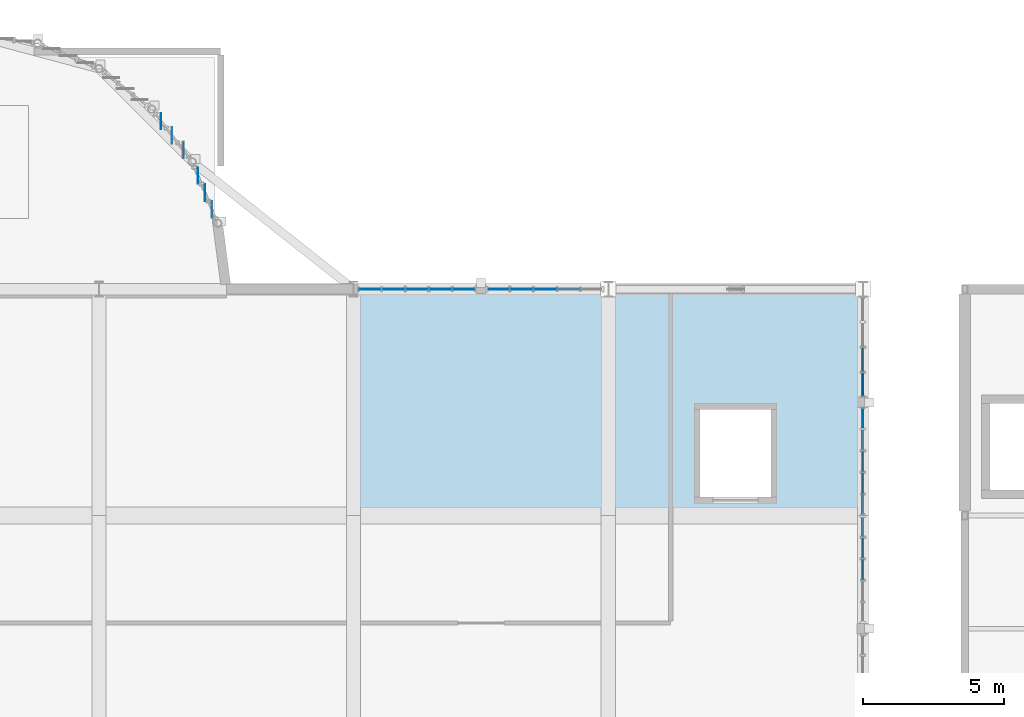
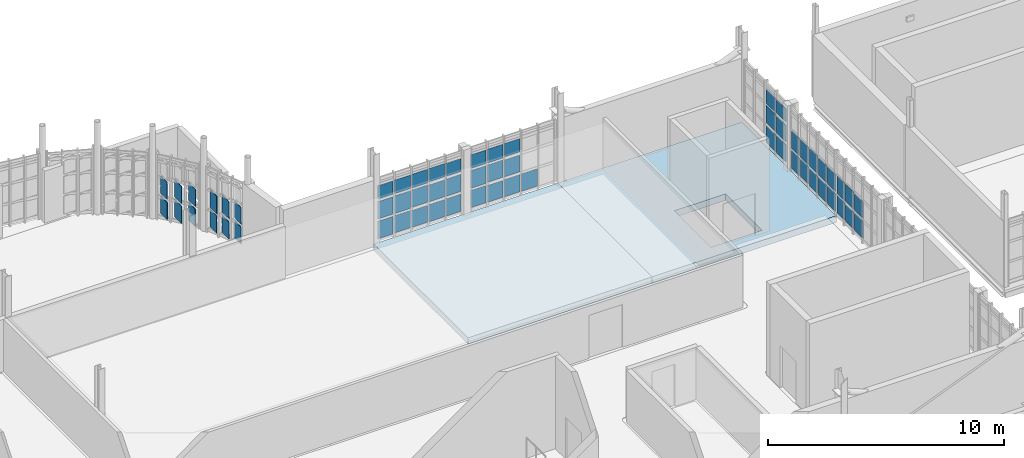
# One storey, part 92 of 128: 59 plates, 2 slabs, 7 elements without a shape of their own.
"""IFC4 building model written with IfcOpenShell, lengths in metres."""

from ifc_helpers import new_model, si_unit, direction, frame, origin, origin_2d, place, context, subcontext, project, spatial, polyline, rectangle, outline, extrude, material, layer, layer_set, type_object, element, aggregate, save


model = new_model("IFC4")

# Units and contexts
model_context = context("Model", 3, precision=1e-05, world=origin(), true_north=direction((0.0, 1.0)))
body_context = subcontext(model_context, "Body", "Model", "MODEL_VIEW")
ifc_project = project(units=[si_unit("LENGTHUNIT", "METRE"), si_unit("AREAUNIT", "SQUARE_METRE"), si_unit("VOLUMEUNIT", "CUBIC_METRE"), si_unit("PLANEANGLEUNIT", "RADIAN"), si_unit("MASSUNIT", "GRAM", prefix="KILO")], contexts=[model_context])

# Site, building, storey
site_placement = place(None, origin())
site = spatial("IfcSite", under=ifc_project, at=site_placement, CompositionType="ELEMENT")
building_placement = place(site_placement, origin())
building = spatial("IfcBuilding", under=site, at=building_placement, Name="Serraforn Aerial Cableway Station", CompositionType="ELEMENT")
storey_placement = place(building_placement, frame((0.0, 0.0, 9.0)))
storey = spatial("IfcBuildingStorey", under=building, at=storey_placement, Name="L02", CompositionType="ELEMENT", Elevation=9.0)

# Curtain wall, plates
ifc_material_1 = material(Name="Anodised bronze unitised curtain wall")
curtain_wall_type_1 = type_object("IfcCurtainWallType", Name="CW-SYS-25", PredefinedType="USERDEFINED", material=ifc_material_1)
curtain_wall_1_placement = place(storey_placement, origin())
curtain_wall_1 = element("IfcCurtainWall", 1, at=curtain_wall_1_placement, inside=storey, type_object=curtain_wall_type_1, Name="Unitised Curtain Wall CW-CV-L02-N6A", ObjectType="UNITISED CURTAIN WALL", PredefinedType="USERDEFINED")
ifc_material_2 = material(Name="Solar-control low-E double glazing", Category="glass")
ifc_layer_1 = layer(ifc_material_2, 0.02587890625)
ifc_layer_set_1 = layer_set([ifc_layer_1], Name="Solar-control low-E double glazing")
plate_type_1 = type_object("IfcPlateType", Name="CW-GLZ-1", PredefinedType="CURTAIN_PANEL", material=ifc_layer_set_1)
plate_1_placement = place(storey_placement, frame((79.3671875, 42.0, 1.23583984375), z_axis=(0.0, 0.0, 1.0), x_axis=(1.0, 0.0, 0.0)))
plate_1 = element("IfcPlate", 2, at=plate_1_placement, type_object=plate_type_1, Name="Curtain Wall Panel CW-CV-L02-N6A-P3-2", PredefinedType="CURTAIN_PANEL", context=body_context, shape_type="SweptSolid", body=[
    extrude(rectangle(XDim=0.77587890625, YDim=0.02587890625, at=origin_2d()), origin(), (0.0, 0.0, 1.0), 0.87255859375),
])
plate_2_placement = place(storey_placement, frame((78.53271484375, 42.0, 0.209716796875), z_axis=(0.0, 0.0, 1.0), x_axis=(1.0, 0.0, 0.0)))
plate_2 = element("IfcPlate", 3, at=plate_2_placement, type_object=plate_type_1, Name="Curtain Wall Panel CW-CV-L02-N6A-P4-1", PredefinedType="CURTAIN_PANEL", context=body_context, shape_type="SweptSolid", body=[
    extrude(rectangle(XDim=0.77099609375, YDim=0.02587890625, at=origin_2d()), origin(), (0.0, 0.0, 1.0), 0.87255859375),
])

curtain_wall_type_2 = type_object("IfcCurtainWallType", Name="CW-SYS-26", PredefinedType="USERDEFINED", material=ifc_material_1)
curtain_wall_2_placement = place(storey_placement, origin())
curtain_wall_2 = element("IfcCurtainWall", 4, at=curtain_wall_2_placement, inside=storey, type_object=curtain_wall_type_2, Name="Unitised Curtain Wall CW-CV-L02-N6B", ObjectType="UNITISED CURTAIN WALL", PredefinedType="USERDEFINED")
plate_3_placement = place(storey_placement, frame((76.490234375, 42.0, 2.26171875), z_axis=(0.0, 0.0, 1.0), x_axis=(1.0, 0.0, 0.0)))
plate_3 = element("IfcPlate", 5, at=plate_3_placement, type_object=plate_type_1, Name="Curtain Wall Panel CW-CV-L02-N6B-P1-3", PredefinedType="CURTAIN_PANEL", context=body_context, shape_type="SweptSolid", body=[
    extrude(rectangle(XDim=0.75341796875, YDim=0.02587890625, at=origin_2d()), origin(), (0.0, 0.0, 1.0), 0.667236328125),
])
plate_4_placement = place(storey_placement, frame((75.669677734375, 42.0, 1.23583984375), z_axis=(0.0, 0.0, 1.0), x_axis=(1.0, 0.0, 0.0)))
plate_4 = element("IfcPlate", 6, at=plate_4_placement, type_object=plate_type_1, Name="Curtain Wall Panel CW-CV-L02-N6B-P2-2", PredefinedType="CURTAIN_PANEL", context=body_context, shape_type="SweptSolid", body=[
    extrude(rectangle(XDim=0.77587890625, YDim=0.02587890625, at=origin_2d()), origin(), (0.0, 0.0, 1.0), 0.87255859375),
])
plate_5_placement = place(storey_placement, frame((74.835205078125, 42.0, 0.209716796875), z_axis=(0.0, 0.0, 1.0), x_axis=(1.0, 0.0, 0.0)))
plate_5 = element("IfcPlate", 7, at=plate_5_placement, type_object=plate_type_1, Name="Curtain Wall Panel CW-CV-L02-N6B-P3-1", PredefinedType="CURTAIN_PANEL", context=body_context, shape_type="SweptSolid", body=[
    extrude(rectangle(XDim=0.77099609375, YDim=0.02587890625, at=origin_2d()), origin(), (0.0, 0.0, 1.0), 0.87255859375),
])

# Curtain wall, plate
curtain_wall_type_3 = type_object("IfcCurtainWallType", Name="CW-SYS-3", PredefinedType="USERDEFINED", material=ifc_material_1)
curtain_wall_3_placement = place(storey_placement, origin())
curtain_wall_3 = element("IfcCurtainWall", 8, at=curtain_wall_3_placement, inside=storey, type_object=curtain_wall_type_3, Name="Unitised Curtain Wall CW-CV-L02-E3A", ObjectType="UNITISED CURTAIN WALL", PredefinedType="USERDEFINED")
plate_6_placement = place(storey_placement, frame((90.60009765625, 37.42919921875, 1.220703125), z_axis=(0.0, 0.0, 1.0), x_axis=(1.0, 0.0, 0.0)))
plate_6 = element("IfcPlate", 9, at=plate_6_placement, type_object=plate_type_1, Name="Curtain Wall Panel CW-CV-L02-E3A-P5-2", PredefinedType="CURTAIN_PANEL", context=body_context, shape_type="SweptSolid", body=[
    extrude(rectangle(XDim=0.02587890625, YDim=0.675537109375, at=origin_2d()), origin(), (0.0, 0.0, 1.0), 0.902587890625),
])

curtain_wall_type_4 = type_object("IfcCurtainWallType", Name="CW-SYS-13", PredefinedType="USERDEFINED", material=ifc_material_1)
curtain_wall_4_placement = place(storey_placement, origin())
curtain_wall_4 = element("IfcCurtainWall", 10, at=curtain_wall_4_placement, inside=storey, type_object=curtain_wall_type_4, Name="Unitised Curtain Wall CW-AP-L02-R10", ObjectType="UNITISED CURTAIN WALL", PredefinedType="USERDEFINED")
plate_7_placement = place(storey_placement, frame((65.79052734375, 47.938232421875, 1.243408203125), z_axis=(0.0, 0.0, 1.0), x_axis=(1.0, 0.0, 0.0)))
plate_7 = element("IfcPlate", 11, at=plate_7_placement, type_object=plate_type_1, Name="Curtain Wall Panel CW-AP-L02-R10-P3-2", PredefinedType="CURTAIN_PANEL", context=body_context, shape_type="SweptSolid", body=[
    extrude(rectangle(XDim=0.02587890625, YDim=0.558349609375, at=origin_2d()), origin(), (0.0, 0.0, 1.0), 0.892578125),
])

# Curtain wall, plates
curtain_wall_type_5 = type_object("IfcCurtainWallType", Name="CW-SYS-14", PredefinedType="USERDEFINED", material=ifc_material_1)
curtain_wall_5_placement = place(storey_placement, origin())
curtain_wall_5 = element("IfcCurtainWall", 12, at=curtain_wall_5_placement, inside=storey, type_object=curtain_wall_type_5, Name="Unitised Curtain Wall CW-AP-L02-R11", ObjectType="UNITISED CURTAIN WALL", PredefinedType="USERDEFINED")
plate_8_placement = place(storey_placement, frame((67.34423828125, 45.41357421875, 1.243408203125), z_axis=(0.0, 0.0, 1.0), x_axis=(1.0, 0.0, 0.0)))
plate_8 = element("IfcPlate", 13, at=plate_8_placement, type_object=plate_type_1, Name="Curtain Wall Panel CW-AP-L02-R11-P2-2", PredefinedType="CURTAIN_PANEL", context=body_context, shape_type="SweptSolid", body=[
    extrude(rectangle(XDim=0.02587890625, YDim=0.60205078125, at=origin_2d()), origin(), (0.0, 0.0, 1.0), 0.892578125),
])
plate_9_placement = place(storey_placement, frame((67.0966796875, 46.01123046875, 0.21728515625), z_axis=(0.0, 0.0, 1.0), x_axis=(1.0, 0.0, 0.0)))
plate_9 = element("IfcPlate", 14, at=plate_9_placement, type_object=plate_type_1, Name="Curtain Wall Panel CW-AP-L02-R11-P3-1", PredefinedType="CURTAIN_PANEL", context=body_context, shape_type="SweptSolid", body=[
    extrude(rectangle(XDim=0.02587890625, YDim=0.5595703125, at=origin_2d()), origin(), (0.0, 0.0, 1.0), 0.892578125),
])

# Plate
ifc_layer_2 = layer(ifc_material_2, 0.028076171875)
ifc_layer_set_2 = layer_set([ifc_layer_2], Name="Solar-control low-E double glazing")
plate_type_2 = type_object("IfcPlateType", Name="CW-GLZ-2", PredefinedType="CURTAIN_PANEL", material=ifc_layer_set_2)
plate_10_placement = place(storey_placement, frame((79.3671875, 42.0, 2.26953125), z_axis=(0.0, 0.0, 1.0), x_axis=(1.0, 0.0, 0.0)))
plate_10 = element("IfcPlate", 15, at=plate_10_placement, type_object=plate_type_2, Name="Curtain Wall Panel CW-CV-L02-N6A-P3-3", PredefinedType="CURTAIN_PANEL", context=body_context, shape_type="SweptSolid", body=[
    extrude(rectangle(XDim=0.77587890625, YDim=0.028076171875, at=origin_2d()), origin(), (0.0, 0.0, 1.0), 0.687255859375),
])

plate_11_placement = place(storey_placement, frame((78.53271484375, 42.0, 1.243408203125), z_axis=(0.0, 0.0, 1.0), x_axis=(1.0, 0.0, 0.0)))
plate_11 = element("IfcPlate", 16, at=plate_11_placement, type_object=plate_type_2, Name="Curtain Wall Panel CW-CV-L02-N6A-P4-2", PredefinedType="CURTAIN_PANEL", context=body_context, shape_type="SweptSolid", body=[
    extrude(rectangle(XDim=0.77099609375, YDim=0.028076171875, at=origin_2d()), origin(), (0.0, 0.0, 1.0), 0.892578125),
])

plate_12_placement = place(storey_placement, frame((77.71728515625, 42.0, 0.21728515625), z_axis=(0.0, 0.0, 1.0), x_axis=(1.0, 0.0, 0.0)))
plate_12 = element("IfcPlate", 17, at=plate_12_placement, type_object=plate_type_2, Name="Curtain Wall Panel CW-CV-L02-N6A-P5-1", PredefinedType="CURTAIN_PANEL", context=body_context, shape_type="SweptSolid", body=[
    extrude(rectangle(XDim=0.728515625, YDim=0.028076171875, at=origin_2d()), origin(), (0.0, 0.0, 1.0), 0.892578125),
])

plate_13_placement = place(storey_placement, frame((75.669677734375, 42.0, 2.26953125), z_axis=(0.0, 0.0, 1.0), x_axis=(1.0, 0.0, 0.0)))
plate_13 = element("IfcPlate", 18, at=plate_13_placement, type_object=plate_type_2, Name="Curtain Wall Panel CW-CV-L02-N6B-P2-3", PredefinedType="CURTAIN_PANEL", context=body_context, shape_type="SweptSolid", body=[
    extrude(rectangle(XDim=0.77587890625, YDim=0.028076171875, at=origin_2d()), origin(), (0.0, 0.0, 1.0), 0.687255859375),
])

plate_14_placement = place(storey_placement, frame((74.835205078125, 42.0, 1.243408203125), z_axis=(0.0, 0.0, 1.0), x_axis=(1.0, 0.0, 0.0)))
plate_14 = element("IfcPlate", 19, at=plate_14_placement, type_object=plate_type_2, Name="Curtain Wall Panel CW-CV-L02-N6B-P3-2", PredefinedType="CURTAIN_PANEL", context=body_context, shape_type="SweptSolid", body=[
    extrude(rectangle(XDim=0.77099609375, YDim=0.028076171875, at=origin_2d()), origin(), (0.0, 0.0, 1.0), 0.892578125),
])

plate_15_placement = place(storey_placement, frame((74.000732421875, 42.0, 0.21728515625), z_axis=(0.0, 0.0, 1.0), x_axis=(1.0, 0.0, 0.0)))
plate_15 = element("IfcPlate", 20, at=plate_15_placement, type_object=plate_type_2, Name="Curtain Wall Panel CW-CV-L02-N6B-P4-1", PredefinedType="CURTAIN_PANEL", context=body_context, shape_type="SweptSolid", body=[
    extrude(rectangle(XDim=0.765869140625, YDim=0.028076171875, at=origin_2d()), origin(), (0.0, 0.0, 1.0), 0.892578125),
])

plate_16_placement = place(storey_placement, frame((67.0966796875, 46.01123046875, 1.2158203125), z_axis=(0.0, 0.0, 1.0), x_axis=(1.0, 0.0, 0.0)))
plate_16 = element("IfcPlate", 21, at=plate_16_placement, type_object=plate_type_2, Name="Curtain Wall Panel CW-AP-L02-R11-P3-2", PredefinedType="CURTAIN_PANEL", context=body_context, shape_type="SweptSolid", body=[
    extrude(rectangle(XDim=0.028076171875, YDim=0.5595703125, at=origin_2d()), origin(), (0.0, 0.0, 1.0), 0.9150390625),
])

ifc_layer_3 = layer(ifc_material_2, 0.030029296875)
ifc_layer_set_3 = layer_set([ifc_layer_3], Name="Solar-control low-E double glazing")
plate_type_3 = type_object("IfcPlateType", Name="CW-GLZ-3", PredefinedType="CURTAIN_PANEL", material=ifc_layer_set_3)
plate_17_placement = place(storey_placement, frame((78.53271484375, 42.0, 2.24169921875), z_axis=(0.0, 0.0, 1.0), x_axis=(1.0, 0.0, 0.0)))
plate_17 = element("IfcPlate", 22, at=plate_17_placement, type_object=plate_type_3, Name="Curtain Wall Panel CW-CV-L02-N6A-P4-3", PredefinedType="CURTAIN_PANEL", context=body_context, shape_type="SweptSolid", body=[
    extrude(rectangle(XDim=0.77099609375, YDim=0.030029296875, at=origin_2d()), origin(), (0.0, 0.0, 1.0), 0.709716796875),
])

plate_18_placement = place(storey_placement, frame((77.71728515625, 42.0, 1.2158203125), z_axis=(0.0, 0.0, 1.0), x_axis=(1.0, 0.0, 0.0)))
plate_18 = element("IfcPlate", 23, at=plate_18_placement, type_object=plate_type_3, Name="Curtain Wall Panel CW-CV-L02-N6A-P5-2", PredefinedType="CURTAIN_PANEL", context=body_context, shape_type="SweptSolid", body=[
    extrude(rectangle(XDim=0.728515625, YDim=0.030029296875, at=origin_2d()), origin(), (0.0, 0.0, 1.0), 0.9150390625),
])

plate_19_placement = place(storey_placement, frame((74.835205078125, 42.0, 2.24169921875), z_axis=(0.0, 0.0, 1.0), x_axis=(1.0, 0.0, 0.0)))
plate_19 = element("IfcPlate", 24, at=plate_19_placement, type_object=plate_type_3, Name="Curtain Wall Panel CW-CV-L02-N6B-P3-3", PredefinedType="CURTAIN_PANEL", context=body_context, shape_type="SweptSolid", body=[
    extrude(rectangle(XDim=0.77099609375, YDim=0.030029296875, at=origin_2d()), origin(), (0.0, 0.0, 1.0), 0.709716796875),
])

plate_20_placement = place(storey_placement, frame((74.000732421875, 42.0, 1.2158203125), z_axis=(0.0, 0.0, 1.0), x_axis=(1.0, 0.0, 0.0)))
plate_20 = element("IfcPlate", 25, at=plate_20_placement, type_object=plate_type_3, Name="Curtain Wall Panel CW-CV-L02-N6B-P4-2", PredefinedType="CURTAIN_PANEL", context=body_context, shape_type="SweptSolid", body=[
    extrude(rectangle(XDim=0.765869140625, YDim=0.030029296875, at=origin_2d()), origin(), (0.0, 0.0, 1.0), 0.9150390625),
])

plate_21_placement = place(storey_placement, frame((73.174072265625, 42.0, 0.189697265625), z_axis=(0.0, 0.0, 1.0), x_axis=(1.0, 0.0, 0.0)))
plate_21 = element("IfcPlate", 26, at=plate_21_placement, type_object=plate_type_3, Name="Curtain Wall Panel CW-CV-L02-N6B-P5-1", PredefinedType="CURTAIN_PANEL", context=body_context, shape_type="SweptSolid", body=[
    extrude(rectangle(XDim=0.745849609375, YDim=0.030029296875, at=origin_2d()), origin(), (0.0, 0.0, 1.0), 0.9150390625),
])

ifc_layer_4 = layer(ifc_material_2, 0.031982421875)
ifc_layer_set_4 = layer_set([ifc_layer_4], Name="Solar-control low-E double glazing")
plate_type_4 = type_object("IfcPlateType", Name="CW-GLZ-4", PredefinedType="CURTAIN_PANEL", material=ifc_layer_set_4)
plate_22_placement = place(storey_placement, frame((77.71728515625, 42.0, 2.246826171875), z_axis=(0.0, 0.0, 1.0), x_axis=(1.0, 0.0, 0.0)))
plate_22 = element("IfcPlate", 27, at=plate_22_placement, type_object=plate_type_4, Name="Curtain Wall Panel CW-CV-L02-N6A-P5-3", PredefinedType="CURTAIN_PANEL", context=body_context, shape_type="SweptSolid", body=[
    extrude(rectangle(XDim=0.728515625, YDim=0.031982421875, at=origin_2d()), origin(), (0.0, 0.0, 1.0), 0.697265625),
])

plate_23_placement = place(storey_placement, frame((74.000732421875, 42.0, 2.246826171875), z_axis=(0.0, 0.0, 1.0), x_axis=(1.0, 0.0, 0.0)))
plate_23 = element("IfcPlate", 28, at=plate_23_placement, type_object=plate_type_4, Name="Curtain Wall Panel CW-CV-L02-N6B-P4-3", PredefinedType="CURTAIN_PANEL", context=body_context, shape_type="SweptSolid", body=[
    extrude(rectangle(XDim=0.765869140625, YDim=0.031982421875, at=origin_2d()), origin(), (0.0, 0.0, 1.0), 0.697265625),
])

plate_24_placement = place(storey_placement, frame((73.174072265625, 42.0, 1.220703125), z_axis=(0.0, 0.0, 1.0), x_axis=(1.0, 0.0, 0.0)))
plate_24 = element("IfcPlate", 29, at=plate_24_placement, type_object=plate_type_4, Name="Curtain Wall Panel CW-CV-L02-N6B-P5-2", PredefinedType="CURTAIN_PANEL", context=body_context, shape_type="SweptSolid", body=[
    extrude(rectangle(XDim=0.745849609375, YDim=0.031982421875, at=origin_2d()), origin(), (0.0, 0.0, 1.0), 0.902587890625),
])

plate_25_placement = place(storey_placement, frame((90.60009765625, 34.39453125, 0.19482421875), z_axis=(0.0, 0.0, 1.0), x_axis=(1.0, 0.0, 0.0)))
plate_25 = element("IfcPlate", 30, at=plate_25_placement, type_object=plate_type_4, Name="Curtain Wall Panel CW-CV-L02-E3A-P1-1", PredefinedType="CURTAIN_PANEL", context=body_context, shape_type="SweptSolid", body=[
    extrude(rectangle(XDim=0.031982421875, YDim=0.68310546875, at=origin_2d()), origin(), (0.0, 0.0, 1.0), 0.902587890625),
])

ifc_layer_5 = layer(ifc_material_2, 0.033935546875)
ifc_layer_set_5 = layer_set([ifc_layer_5], Name="Solar-control low-E double glazing")
plate_type_5 = type_object("IfcPlateType", Name="CW-GLZ-5", PredefinedType="CURTAIN_PANEL", material=ifc_layer_set_5)
plate_26_placement = place(storey_placement, frame((73.174072265625, 42.0, 2.25439453125), z_axis=(0.0, 0.0, 1.0), x_axis=(1.0, 0.0, 0.0)))
plate_26 = element("IfcPlate", 31, at=plate_26_placement, type_object=plate_type_5, Name="Curtain Wall Panel CW-CV-L02-N6B-P5-3", PredefinedType="CURTAIN_PANEL", context=body_context, shape_type="SweptSolid", body=[
    extrude(rectangle(XDim=0.745849609375, YDim=0.033935546875, at=origin_2d()), origin(), (0.0, 0.0, 1.0), 0.682373046875),
])

# Curtain wall, plate
curtain_wall_type_6 = type_object("IfcCurtainWallType", Name="CW-SYS-2", PredefinedType="USERDEFINED", material=ifc_material_1)
curtain_wall_6_placement = place(storey_placement, origin())
curtain_wall_6 = element("IfcCurtainWall", 32, at=curtain_wall_6_placement, inside=storey, type_object=curtain_wall_type_6, Name="Unitised Curtain Wall CW-CV-L02-E2B", ObjectType="UNITISED CURTAIN WALL", PredefinedType="USERDEFINED")
plate_27_placement = place(storey_placement, frame((90.60009765625, 32.088623046875, 0.2021484375), z_axis=(0.0, 0.0, 1.0), x_axis=(1.0, 0.0, 0.0)))
plate_27 = element("IfcPlate", 33, at=plate_27_placement, type_object=plate_type_5, Name="Curtain Wall Panel CW-CV-L02-E2B-P3-1", PredefinedType="CURTAIN_PANEL", context=body_context, shape_type="SweptSolid", body=[
    extrude(rectangle(XDim=0.033935546875, YDim=0.70556640625, at=origin_2d()), origin(), (0.0, 0.0, 1.0), 0.887451171875),
])

# Plate
plate_28_placement = place(storey_placement, frame((90.60009765625, 34.39453125, 1.228515625), z_axis=(0.0, 0.0, 1.0), x_axis=(1.0, 0.0, 0.0)))
plate_28 = element("IfcPlate", 34, at=plate_28_placement, type_object=plate_type_5, Name="Curtain Wall Panel CW-CV-L02-E3A-P1-2", PredefinedType="CURTAIN_PANEL", context=body_context, shape_type="SweptSolid", body=[
    extrude(rectangle(XDim=0.033935546875, YDim=0.68310546875, at=origin_2d()), origin(), (0.0, 0.0, 1.0), 0.887451171875),
])

plate_29_placement = place(storey_placement, frame((90.60009765625, 35.144775390625, 0.2021484375), z_axis=(0.0, 0.0, 1.0), x_axis=(1.0, 0.0, 0.0)))
plate_29 = element("IfcPlate", 35, at=plate_29_placement, type_object=plate_type_5, Name="Curtain Wall Panel CW-CV-L02-E3A-P2-1", PredefinedType="CURTAIN_PANEL", context=body_context, shape_type="SweptSolid", body=[
    extrude(rectangle(XDim=0.033935546875, YDim=0.70556640625, at=origin_2d()), origin(), (0.0, 0.0, 1.0), 0.887451171875),
])

# Curtain wall, plate
curtain_wall_type_7 = type_object("IfcCurtainWallType", Name="CW-SYS-4", PredefinedType="USERDEFINED", material=ifc_material_1)
curtain_wall_7_placement = place(storey_placement, origin())
curtain_wall_7 = element("IfcCurtainWall", 36, at=curtain_wall_7_placement, inside=storey, type_object=curtain_wall_type_7, Name="Unitised Curtain Wall CW-CV-L02-E3B", ObjectType="UNITISED CURTAIN WALL", PredefinedType="USERDEFINED")
plate_30_placement = place(storey_placement, frame((90.60009765625, 38.63720703125, 0.2021484375), z_axis=(0.0, 0.0, 1.0), x_axis=(1.0, 0.0, 0.0)))
plate_30 = element("IfcPlate", 37, at=plate_30_placement, type_object=plate_type_5, Name="Curtain Wall Panel CW-CV-L02-E3B-P1-1", PredefinedType="CURTAIN_PANEL", context=body_context, shape_type="SweptSolid", body=[
    extrude(rectangle(XDim=0.033935546875, YDim=0.798095703125, at=origin_2d()), origin(), (0.0, 0.0, 1.0), 0.887451171875),
])

# Plate
ifc_layer_6 = layer(ifc_material_2, 0.035888671875)
ifc_layer_set_6 = layer_set([ifc_layer_6], Name="Solar-control low-E double glazing")
plate_type_6 = type_object("IfcPlateType", Name="CW-GLZ-6", PredefinedType="CURTAIN_PANEL", material=ifc_layer_set_6)
plate_31_placement = place(storey_placement, frame((90.60009765625, 32.088623046875, 1.23583984375), z_axis=(0.0, 0.0, 1.0), x_axis=(1.0, 0.0, 0.0)))
plate_31 = element("IfcPlate", 38, at=plate_31_placement, type_object=plate_type_6, Name="Curtain Wall Panel CW-CV-L02-E2B-P3-2", PredefinedType="CURTAIN_PANEL", context=body_context, shape_type="SweptSolid", body=[
    extrude(rectangle(XDim=0.035888671875, YDim=0.70556640625, at=origin_2d()), origin(), (0.0, 0.0, 1.0), 0.87255859375),
])

plate_32_placement = place(storey_placement, frame((90.60009765625, 32.852783203125, 0.209716796875), z_axis=(0.0, 0.0, 1.0), x_axis=(1.0, 0.0, 0.0)))
plate_32 = element("IfcPlate", 39, at=plate_32_placement, type_object=plate_type_6, Name="Curtain Wall Panel CW-CV-L02-E2B-P4-1", PredefinedType="CURTAIN_PANEL", context=body_context, shape_type="SweptSolid", body=[
    extrude(rectangle(XDim=0.035888671875, YDim=0.700439453125, at=origin_2d()), origin(), (0.0, 0.0, 1.0), 0.87255859375),
])

plate_33_placement = place(storey_placement, frame((90.60009765625, 35.144775390625, 1.23583984375), z_axis=(0.0, 0.0, 1.0), x_axis=(1.0, 0.0, 0.0)))
plate_33 = element("IfcPlate", 40, at=plate_33_placement, type_object=plate_type_6, Name="Curtain Wall Panel CW-CV-L02-E3A-P2-2", PredefinedType="CURTAIN_PANEL", context=body_context, shape_type="SweptSolid", body=[
    extrude(rectangle(XDim=0.035888671875, YDim=0.70556640625, at=origin_2d()), origin(), (0.0, 0.0, 1.0), 0.87255859375),
])

plate_34_placement = place(storey_placement, frame((90.60009765625, 35.90869140625, 0.209716796875), z_axis=(0.0, 0.0, 1.0), x_axis=(1.0, 0.0, 0.0)))
plate_34 = element("IfcPlate", 41, at=plate_34_placement, type_object=plate_type_6, Name="Curtain Wall Panel CW-CV-L02-E3A-P3-1", PredefinedType="CURTAIN_PANEL", context=body_context, shape_type="SweptSolid", body=[
    extrude(rectangle(XDim=0.035888671875, YDim=0.700439453125, at=origin_2d()), origin(), (0.0, 0.0, 1.0), 0.87255859375),
])

plate_35_placement = place(storey_placement, frame((90.60009765625, 38.63720703125, 1.23583984375), z_axis=(0.0, 0.0, 1.0), x_axis=(1.0, 0.0, 0.0)))
plate_35 = element("IfcPlate", 42, at=plate_35_placement, type_object=plate_type_6, Name="Curtain Wall Panel CW-CV-L02-E3B-P1-2", PredefinedType="CURTAIN_PANEL", context=body_context, shape_type="SweptSolid", body=[
    extrude(rectangle(XDim=0.035888671875, YDim=0.798095703125, at=origin_2d()), origin(), (0.0, 0.0, 1.0), 0.87255859375),
])

plate_36_placement = place(storey_placement, frame((90.60009765625, 39.5087890625, 0.209716796875), z_axis=(0.0, 0.0, 1.0), x_axis=(1.0, 0.0, 0.0)))
plate_36 = element("IfcPlate", 43, at=plate_36_placement, type_object=plate_type_6, Name="Curtain Wall Panel CW-CV-L02-E3B-P2-1", PredefinedType="CURTAIN_PANEL", context=body_context, shape_type="SweptSolid", body=[
    extrude(rectangle(XDim=0.035888671875, YDim=0.8232421875, at=origin_2d()), origin(), (0.0, 0.0, 1.0), 0.87255859375),
])

plate_37_placement = place(storey_placement, frame((66.5712890625, 46.9208984375, 0.19482421875), z_axis=(0.0, 0.0, 1.0), x_axis=(1.0, 0.0, 0.0)))
plate_37 = element("IfcPlate", 44, at=plate_37_placement, type_object=plate_type_6, Name="Curtain Wall Panel CW-AP-L02-R10-P1-1", PredefinedType="CURTAIN_PANEL", context=body_context, shape_type="SweptSolid", body=[
    extrude(rectangle(XDim=0.035888671875, YDim=0.575927734375, at=origin_2d()), origin(), (0.0, 0.0, 1.0), 0.902587890625),
])

ifc_layer_7 = layer(ifc_material_2, 0.029052734375)
ifc_layer_set_7 = layer_set([ifc_layer_7], Name="Solar-control low-E double glazing")
plate_type_7 = type_object("IfcPlateType", Name="CW-GLZ-7", PredefinedType="CURTAIN_PANEL", material=ifc_layer_set_7)
plate_38_placement = place(storey_placement, frame((80.20166015625, 42.0, 0.19482421875), z_axis=(0.0, 0.0, 1.0), x_axis=(1.0, 0.0, 0.0)))
plate_38 = element("IfcPlate", 45, at=plate_38_placement, type_object=plate_type_7, Name="Curtain Wall Panel CW-CV-L02-N6A-P2-1", PredefinedType="CURTAIN_PANEL", context=body_context, shape_type="SweptSolid", body=[
    extrude(rectangle(XDim=0.781005859375, YDim=0.029052734375, at=origin_2d()), origin(), (0.0, 0.0, 1.0), 0.902587890625),
])

plate_39_placement = place(storey_placement, frame((76.490234375, 42.0, 0.19482421875), z_axis=(0.0, 0.0, 1.0), x_axis=(1.0, 0.0, 0.0)))
plate_39 = element("IfcPlate", 46, at=plate_39_placement, type_object=plate_type_7, Name="Curtain Wall Panel CW-CV-L02-N6B-P1-1", PredefinedType="CURTAIN_PANEL", context=body_context, shape_type="SweptSolid", body=[
    extrude(rectangle(XDim=0.75341796875, YDim=0.029052734375, at=origin_2d()), origin(), (0.0, 0.0, 1.0), 0.902587890625),
])

plate_40_placement = place(storey_placement, frame((90.60009765625, 32.852783203125, 1.243408203125), z_axis=(0.0, 0.0, 1.0), x_axis=(1.0, 0.0, 0.0)))
plate_40 = element("IfcPlate", 47, at=plate_40_placement, type_object=plate_type_7, Name="Curtain Wall Panel CW-CV-L02-E2B-P4-2", PredefinedType="CURTAIN_PANEL", context=body_context, shape_type="SweptSolid", body=[
    extrude(rectangle(XDim=0.029052734375, YDim=0.700439453125, at=origin_2d()), origin(), (0.0, 0.0, 1.0), 0.892578125),
])

plate_41_placement = place(storey_placement, frame((90.60009765625, 33.597900390625, 0.21728515625), z_axis=(0.0, 0.0, 1.0), x_axis=(1.0, 0.0, 0.0)))
plate_41 = element("IfcPlate", 48, at=plate_41_placement, type_object=plate_type_7, Name="Curtain Wall Panel CW-CV-L02-E2B-P5-1", PredefinedType="CURTAIN_PANEL", context=body_context, shape_type="SweptSolid", body=[
    extrude(rectangle(XDim=0.029052734375, YDim=0.657958984375, at=origin_2d()), origin(), (0.0, 0.0, 1.0), 0.892578125),
])

plate_42_placement = place(storey_placement, frame((90.60009765625, 35.90869140625, 1.243408203125), z_axis=(0.0, 0.0, 1.0), x_axis=(1.0, 0.0, 0.0)))
plate_42 = element("IfcPlate", 49, at=plate_42_placement, type_object=plate_type_7, Name="Curtain Wall Panel CW-CV-L02-E3A-P3-2", PredefinedType="CURTAIN_PANEL", context=body_context, shape_type="SweptSolid", body=[
    extrude(rectangle(XDim=0.029052734375, YDim=0.700439453125, at=origin_2d()), origin(), (0.0, 0.0, 1.0), 0.892578125),
])

plate_43_placement = place(storey_placement, frame((90.60009765625, 36.6728515625, 0.21728515625), z_axis=(0.0, 0.0, 1.0), x_axis=(1.0, 0.0, 0.0)))
plate_43 = element("IfcPlate", 50, at=plate_43_placement, type_object=plate_type_7, Name="Curtain Wall Panel CW-CV-L02-E3A-P4-1", PredefinedType="CURTAIN_PANEL", context=body_context, shape_type="SweptSolid", body=[
    extrude(rectangle(XDim=0.029052734375, YDim=0.695556640625, at=origin_2d()), origin(), (0.0, 0.0, 1.0), 0.892578125),
])

plate_44_placement = place(storey_placement, frame((90.60009765625, 38.63720703125, 2.26953125), z_axis=(0.0, 0.0, 1.0), x_axis=(1.0, 0.0, 0.0)))
plate_44 = element("IfcPlate", 51, at=plate_44_placement, type_object=plate_type_7, Name="Curtain Wall Panel CW-CV-L02-E3B-P1-3", PredefinedType="CURTAIN_PANEL", context=body_context, shape_type="SweptSolid", body=[
    extrude(rectangle(XDim=0.029052734375, YDim=0.798095703125, at=origin_2d()), origin(), (0.0, 0.0, 1.0), 0.687255859375),
])

plate_45_placement = place(storey_placement, frame((90.60009765625, 39.5087890625, 1.243408203125), z_axis=(0.0, 0.0, 1.0), x_axis=(1.0, 0.0, 0.0)))
plate_45 = element("IfcPlate", 52, at=plate_45_placement, type_object=plate_type_7, Name="Curtain Wall Panel CW-CV-L02-E3B-P2-2", PredefinedType="CURTAIN_PANEL", context=body_context, shape_type="SweptSolid", body=[
    extrude(rectangle(XDim=0.029052734375, YDim=0.8232421875, at=origin_2d()), origin(), (0.0, 0.0, 1.0), 0.892578125),
])

plate_46_placement = place(storey_placement, frame((66.5712890625, 46.9208984375, 1.228515625), z_axis=(0.0, 0.0, 1.0), x_axis=(1.0, 0.0, 0.0)))
plate_46 = element("IfcPlate", 53, at=plate_46_placement, type_object=plate_type_7, Name="Curtain Wall Panel CW-AP-L02-R10-P1-2", PredefinedType="CURTAIN_PANEL", context=body_context, shape_type="SweptSolid", body=[
    extrude(rectangle(XDim=0.029052734375, YDim=0.575927734375, at=origin_2d()), origin(), (0.0, 0.0, 1.0), 0.887451171875),
])

plate_47_placement = place(storey_placement, frame((66.179931640625, 47.430908203125, 0.2021484375), z_axis=(0.0, 0.0, 1.0), x_axis=(1.0, 0.0, 0.0)))
plate_47 = element("IfcPlate", 54, at=plate_47_placement, type_object=plate_type_7, Name="Curtain Wall Panel CW-AP-L02-R10-P2-1", PredefinedType="CURTAIN_PANEL", context=body_context, shape_type="SweptSolid", body=[
    extrude(rectangle(XDim=0.029052734375, YDim=0.598388671875, at=origin_2d()), origin(), (0.0, 0.0, 1.0), 0.887451171875),
])

plate_48_placement = place(storey_placement, frame((67.59326171875, 44.8125, 0.2021484375), z_axis=(0.0, 0.0, 1.0), x_axis=(1.0, 0.0, 0.0)))
plate_48 = element("IfcPlate", 55, at=plate_48_placement, type_object=plate_type_7, Name="Curtain Wall Panel CW-AP-L02-R11-P1-1", PredefinedType="CURTAIN_PANEL", context=body_context, shape_type="SweptSolid", body=[
    extrude(rectangle(XDim=0.029052734375, YDim=0.5771484375, at=origin_2d()), origin(), (0.0, 0.0, 1.0), 0.887451171875),
])

ifc_layer_8 = layer(ifc_material_2, 0.031005859375)
ifc_layer_set_8 = layer_set([ifc_layer_8], Name="Solar-control low-E double glazing")
plate_type_8 = type_object("IfcPlateType", Name="CW-GLZ-8", PredefinedType="CURTAIN_PANEL", material=ifc_layer_set_8)
plate_49_placement = place(storey_placement, frame((79.3671875, 42.0, 0.2021484375), z_axis=(0.0, 0.0, 1.0), x_axis=(1.0, 0.0, 0.0)))
plate_49 = element("IfcPlate", 56, at=plate_49_placement, type_object=plate_type_8, Name="Curtain Wall Panel CW-CV-L02-N6A-P3-1", PredefinedType="CURTAIN_PANEL", context=body_context, shape_type="SweptSolid", body=[
    extrude(rectangle(XDim=0.77587890625, YDim=0.031005859375, at=origin_2d()), origin(), (0.0, 0.0, 1.0), 0.887451171875),
])

aggregate(curtain_wall_1, [plate_38, plate_49, plate_1, plate_10, plate_2, plate_11, plate_17, plate_12, plate_18, plate_22])

plate_50_placement = place(storey_placement, frame((76.490234375, 42.0, 1.228515625), z_axis=(0.0, 0.0, 1.0), x_axis=(1.0, 0.0, 0.0)))
plate_50 = element("IfcPlate", 57, at=plate_50_placement, type_object=plate_type_8, Name="Curtain Wall Panel CW-CV-L02-N6B-P1-2", PredefinedType="CURTAIN_PANEL", context=body_context, shape_type="SweptSolid", body=[
    extrude(rectangle(XDim=0.75341796875, YDim=0.031005859375, at=origin_2d()), origin(), (0.0, 0.0, 1.0), 0.887451171875),
])

plate_51_placement = place(storey_placement, frame((75.669677734375, 42.0, 0.2021484375), z_axis=(0.0, 0.0, 1.0), x_axis=(1.0, 0.0, 0.0)))
plate_51 = element("IfcPlate", 58, at=plate_51_placement, type_object=plate_type_8, Name="Curtain Wall Panel CW-CV-L02-N6B-P2-1", PredefinedType="CURTAIN_PANEL", context=body_context, shape_type="SweptSolid", body=[
    extrude(rectangle(XDim=0.77587890625, YDim=0.031005859375, at=origin_2d()), origin(), (0.0, 0.0, 1.0), 0.887451171875),
])

aggregate(curtain_wall_2, [plate_39, plate_50, plate_3, plate_51, plate_4, plate_13, plate_5, plate_14, plate_19, plate_15, plate_20, plate_23, plate_21, plate_24, plate_26])

plate_52_placement = place(storey_placement, frame((90.60009765625, 33.597900390625, 1.2158203125), z_axis=(0.0, 0.0, 1.0), x_axis=(1.0, 0.0, 0.0)))
plate_52 = element("IfcPlate", 59, at=plate_52_placement, type_object=plate_type_8, Name="Curtain Wall Panel CW-CV-L02-E2B-P5-2", PredefinedType="CURTAIN_PANEL", context=body_context, shape_type="SweptSolid", body=[
    extrude(rectangle(XDim=0.031005859375, YDim=0.657958984375, at=origin_2d()), origin(), (0.0, 0.0, 1.0), 0.9150390625),
])

aggregate(curtain_wall_6, [plate_27, plate_31, plate_32, plate_40, plate_41, plate_52])

plate_53_placement = place(storey_placement, frame((90.60009765625, 36.6728515625, 1.2158203125), z_axis=(0.0, 0.0, 1.0), x_axis=(1.0, 0.0, 0.0)))
plate_53 = element("IfcPlate", 60, at=plate_53_placement, type_object=plate_type_8, Name="Curtain Wall Panel CW-CV-L02-E3A-P4-2", PredefinedType="CURTAIN_PANEL", context=body_context, shape_type="SweptSolid", body=[
    extrude(rectangle(XDim=0.031005859375, YDim=0.695556640625, at=origin_2d()), origin(), (0.0, 0.0, 1.0), 0.9150390625),
])

plate_54_placement = place(storey_placement, frame((90.60009765625, 37.42919921875, 0.189697265625), z_axis=(0.0, 0.0, 1.0), x_axis=(1.0, 0.0, 0.0)))
plate_54 = element("IfcPlate", 61, at=plate_54_placement, type_object=plate_type_8, Name="Curtain Wall Panel CW-CV-L02-E3A-P5-1", PredefinedType="CURTAIN_PANEL", context=body_context, shape_type="SweptSolid", body=[
    extrude(rectangle(XDim=0.031005859375, YDim=0.675537109375, at=origin_2d()), origin(), (0.0, 0.0, 1.0), 0.9150390625),
])

aggregate(curtain_wall_3, [plate_25, plate_28, plate_29, plate_33, plate_34, plate_42, plate_43, plate_53, plate_54, plate_6])

plate_55_placement = place(storey_placement, frame((90.60009765625, 39.5087890625, 2.24169921875), z_axis=(0.0, 0.0, 1.0), x_axis=(1.0, 0.0, 0.0)))
plate_55 = element("IfcPlate", 62, at=plate_55_placement, type_object=plate_type_8, Name="Curtain Wall Panel CW-CV-L02-E3B-P2-3", PredefinedType="CURTAIN_PANEL", context=body_context, shape_type="SweptSolid", body=[
    extrude(rectangle(XDim=0.031005859375, YDim=0.8232421875, at=origin_2d()), origin(), (0.0, 0.0, 1.0), 0.709716796875),
])

aggregate(curtain_wall_7, [plate_30, plate_35, plate_44, plate_36, plate_45, plate_55])

plate_56_placement = place(storey_placement, frame((66.179931640625, 47.430908203125, 1.23583984375), z_axis=(0.0, 0.0, 1.0), x_axis=(1.0, 0.0, 0.0)))
plate_56 = element("IfcPlate", 63, at=plate_56_placement, type_object=plate_type_8, Name="Curtain Wall Panel CW-AP-L02-R10-P2-2", PredefinedType="CURTAIN_PANEL", context=body_context, shape_type="SweptSolid", body=[
    extrude(rectangle(XDim=0.031005859375, YDim=0.598388671875, at=origin_2d()), origin(), (0.0, 0.0, 1.0), 0.87255859375),
])

plate_57_placement = place(storey_placement, frame((65.79052734375, 47.938232421875, 0.209716796875), z_axis=(0.0, 0.0, 1.0), x_axis=(1.0, 0.0, 0.0)))
plate_57 = element("IfcPlate", 64, at=plate_57_placement, type_object=plate_type_8, Name="Curtain Wall Panel CW-AP-L02-R10-P3-1", PredefinedType="CURTAIN_PANEL", context=body_context, shape_type="SweptSolid", body=[
    extrude(rectangle(XDim=0.031005859375, YDim=0.558349609375, at=origin_2d()), origin(), (0.0, 0.0, 1.0), 0.87255859375),
])

aggregate(curtain_wall_4, [plate_37, plate_46, plate_47, plate_56, plate_57, plate_7])

plate_58_placement = place(storey_placement, frame((67.59326171875, 44.8125, 1.23583984375), z_axis=(0.0, 0.0, 1.0), x_axis=(1.0, 0.0, 0.0)))
plate_58 = element("IfcPlate", 65, at=plate_58_placement, type_object=plate_type_8, Name="Curtain Wall Panel CW-AP-L02-R11-P1-2", PredefinedType="CURTAIN_PANEL", context=body_context, shape_type="SweptSolid", body=[
    extrude(rectangle(XDim=0.031005859375, YDim=0.5771484375, at=origin_2d()), origin(), (0.0, 0.0, 1.0), 0.87255859375),
])

plate_59_placement = place(storey_placement, frame((67.34423828125, 45.41357421875, 0.209716796875), z_axis=(0.0, 0.0, 1.0), x_axis=(1.0, 0.0, 0.0)))
plate_59 = element("IfcPlate", 66, at=plate_59_placement, type_object=plate_type_8, Name="Curtain Wall Panel CW-AP-L02-R11-P2-1", PredefinedType="CURTAIN_PANEL", context=body_context, shape_type="SweptSolid", body=[
    extrude(rectangle(XDim=0.031005859375, YDim=0.60205078125, at=origin_2d()), origin(), (0.0, 0.0, 1.0), 0.87255859375),
])

aggregate(curtain_wall_5, [plate_48, plate_58, plate_59, plate_8, plate_9, plate_16])

# Slabs
ifc_material_3 = material(Name="Concrete C40/50", Category="concrete")
ifc_layer_9 = layer(ifc_material_3, 0.340087890625)
ifc_layer_set_9 = layer_set([ifc_layer_9], Name="Concrete C40/50")
slab_type = type_object("IfcSlabType", Name="SLB-FLR-340", PredefinedType="FLOOR", material=ifc_layer_set_9)
slab_1_placement = place(storey_placement, frame((0.0, 0.0, -0.340087890625)))
element("IfcSlab", 67, at=slab_1_placement, inside=storey, type_object=slab_type, Name="Floor Slab CV-L02-6-3", PredefinedType="FLOOR", context=body_context, shape_type="SweptSolid", body=[
    extrude(outline(polyline([(72.60009765625, 34.0), (81.60009765625, 34.0), (81.60009765625, 42.0), (72.60009765625, 42.0), (72.60009765625, 34.0)])), origin(), (0.0, 0.0, 1.0), 0.340087890625),
])
slab_2_placement = place(storey_placement, frame((0.0, 0.0, -0.340087890625)))
element("IfcSlab", 68, at=slab_2_placement, inside=storey, type_object=slab_type, Name="Floor Slab CV-L02-7-3", PredefinedType="FLOOR", context=body_context, shape_type="SweptSolid", body=[
    extrude(outline(polyline([(81.60009765625, 34.0), (90.60009765625, 34.0), (90.60009765625, 42.0), (81.60009765625, 42.0), (81.60009765625, 34.0)]), holes=[polyline([(84.85009765625, 34.64990234375), (87.35009765625, 34.64990234375), (87.35009765625, 37.75), (84.85009765625, 37.75), (84.85009765625, 34.64990234375)])]), origin(), (0.0, 0.0, 1.0), 0.340087890625),
])

save(model, "model.ifc")
